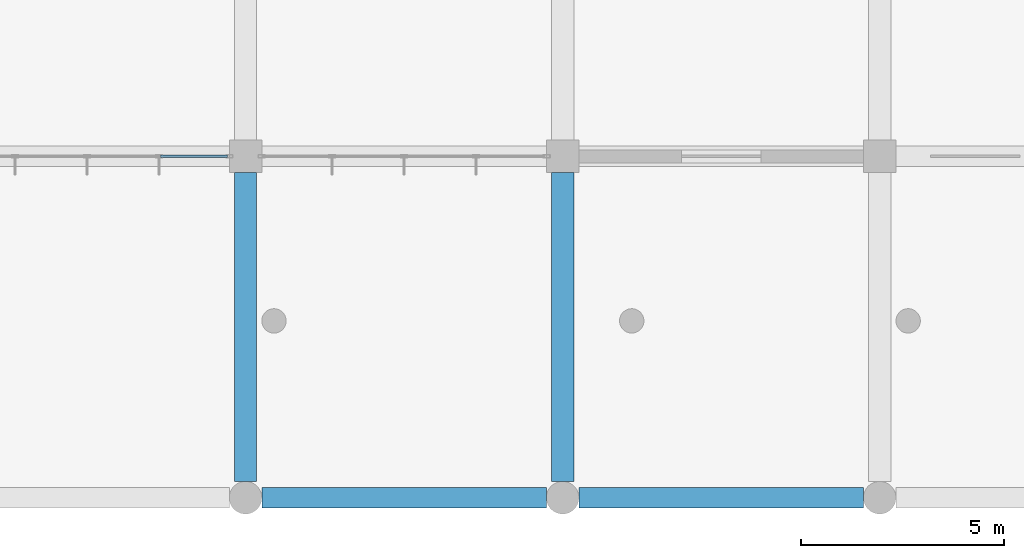
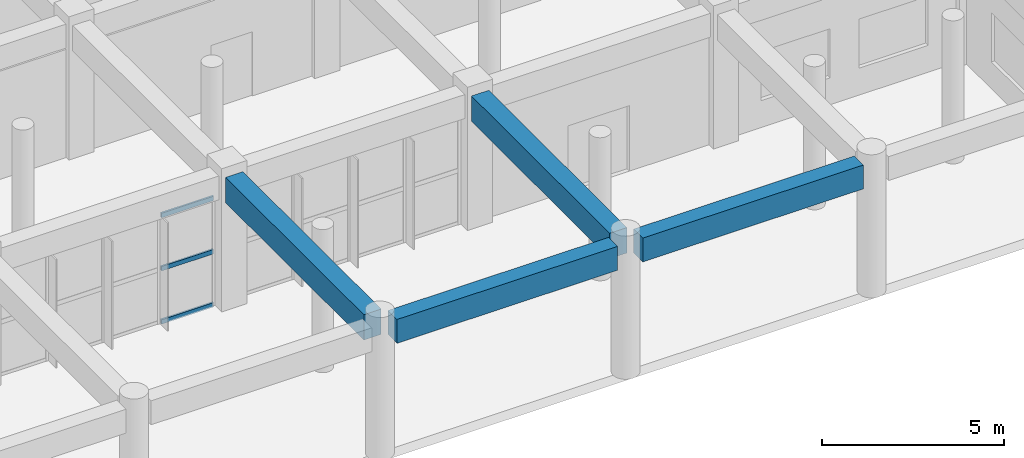
# One storey, part 20 of 139: 4 beams, 3 members, 1 element without a shape of its own.
"""IFC4 building model written with IfcOpenShell, lengths in metres."""

from ifc_helpers import new_model, si_unit, direction, frame, origin, origin_2d, place, context, subcontext, project, spatial, rectangle, hollow_rectangle, extrude, material, layer, layer_set, material_profile, profile_set, type_object, element, aggregate, save


model = new_model("IFC4")

# Units and contexts
model_context = context("Model", 3, precision=1e-05, world=origin(), true_north=direction((0.0, 1.0)))
body_context = subcontext(model_context, "Body", "Model", "MODEL_VIEW")
ifc_project = project(units=[si_unit("LENGTHUNIT", "METRE"), si_unit("AREAUNIT", "SQUARE_METRE"), si_unit("VOLUMEUNIT", "CUBIC_METRE"), si_unit("PLANEANGLEUNIT", "RADIAN"), si_unit("MASSUNIT", "GRAM", prefix="KILO")], contexts=[model_context])

# Site, building, storey
site_placement = place(None, origin())
site = spatial("IfcSite", under=ifc_project, at=site_placement, CompositionType="ELEMENT")
building_placement = place(site_placement, origin())
building = spatial("IfcBuilding", under=site, at=building_placement, Name="Zizhar Promenade General Hospital", CompositionType="ELEMENT")
storey_placement = place(building_placement, origin())
storey = spatial("IfcBuildingStorey", under=building, at=storey_placement, Name="L00", CompositionType="ELEMENT", Elevation=0.0)

# Beams
ifc_material_1 = material(Name="Concrete C35/45", Category="concrete")
ifc_material_profile_1 = material_profile(ifc_material_1, rectangle(XDim=0.5, YDim=0.800048828125, at=origin_2d()))
ifc_profile_set_1 = profile_set([ifc_material_profile_1], Name="Concrete C35/45")
beam_type_1 = type_object("IfcBeamType", Name="BM-RC-500x800", PredefinedType="BEAM", material=ifc_profile_set_1)
for number, where, z_axis, x_axis, name in (
    (1, (109.60009765625, 0.0, 4.070068359375), (1.0, 0.0, 0.0), (0.0, 1.0, 0.0), "Grid Beam X L00 (14-0)"),
    (2, (117.39990234375, 0.0, 4.070068359375), (1.0, 0.0, 0.0), (0.0, 1.0, 0.0), "Grid Beam X L00 (15-0)"),
):
    element("IfcBeam", number, at=place(storey_placement, frame(where, z_axis=z_axis, x_axis=x_axis)), inside=storey, type_object=beam_type_1, Name=name, PredefinedType="BEAM", context=body_context, shape_type="SweptSolid", body=[
        extrude(rectangle(XDim=0.5, YDim=0.800048828125, at=origin_2d()), origin(), (0.0, 0.0, 1.0), 7.0),
    ])
ifc_material_2 = material(Name="Concrete C35/45", Category="concrete")
ifc_material_profile_2 = material_profile(ifc_material_2, rectangle(XDim=0.550048828125, YDim=0.85009765625, at=origin_2d()))
ifc_profile_set_2 = profile_set([ifc_material_profile_2], Name="Concrete C35/45")
beam_type_2 = type_object("IfcBeamType", Name="BM-RC-550x850", PredefinedType="BEAM", material=ifc_profile_set_2)
for number, where, z_axis, x_axis, name in (
    (3, (109.199951171875, 0.39990234375, 4.044921875), (0.0, 1.0, 0.0), (-1.0, 0.0, 0.0), "Grid Beam Y L00 (14-0)"),
    (4, (117.0, 0.39990234375, 4.044921875), (0.0, 1.0, 0.0), (-1.0, 0.0, 0.0), "Grid Beam Y L00 (15-0)"),
):
    element("IfcBeam", number, at=place(storey_placement, frame(where, z_axis=z_axis, x_axis=x_axis)), inside=storey, type_object=beam_type_2, Name=name, PredefinedType="BEAM", context=body_context, shape_type="SweptSolid", body=[
        extrude(rectangle(XDim=0.550048828125, YDim=0.85009765625, at=origin_2d()), origin(), (0.0, 0.0, 1.0), 7.60009765625),
    ])

# Curtain wall, members
ifc_material_3 = material(Name="Anodised aluminium 6063-T6 and low-E glass", Category="aluminium")
ifc_layer = layer(ifc_material_3, 0.159912109375)
ifc_layer_set = layer_set([ifc_layer], Name="Anodised aluminium 6063-T6 and low-E glass")
curtain_wall_type = type_object("IfcCurtainWallType", Name="CW-HALL-S", PredefinedType="NOTDEFINED", material=ifc_layer_set)
curtain_wall_placement = place(storey_placement, origin())
curtain_wall = element("IfcCurtainWall", 5, at=curtain_wall_placement, inside=storey, type_object=curtain_wall_type, Name="Promenade Colonnade Curtain Wall Bay 12", PredefinedType="NOTDEFINED")
ifc_material_4 = material(Name="Anodised aluminium 6063-T6", Category="aluminium")
ifc_material_profile_3 = material_profile(ifc_material_4, hollow_rectangle(XDim=0.06005859375, YDim=0.14990234375, WallThickness=0.00390625, at=origin_2d()))
ifc_profile_set_3 = profile_set([ifc_material_profile_3], Name="Anodised aluminium 6063-T6")
member_type = type_object("IfcMemberType", Name="CWT-ALU-150x60", PredefinedType="USERDEFINED", material=ifc_profile_set_3)
member_1_placement = place(storey_placement, frame((108.760009765625, 8.39990234375, 0.030029296875), z_axis=(-1.0, 0.0, 0.0), x_axis=(0.0, -1.0, 0.0)))
member_1 = element("IfcMember", 6, at=member_1_placement, type_object=member_type, Name="CW-01 transom 1.1", ObjectType="TRANSOM", PredefinedType="USERDEFINED", context=body_context, shape_type="SweptSolid", body=[
    extrude(hollow_rectangle(XDim=0.06005859375, YDim=0.14990234375, WallThickness=0.00390625, at=origin_2d()), origin(), (0.0, 0.0, 1.0), 1.64990234375),
])
member_2_placement = place(storey_placement, frame((108.760009765625, 8.39990234375, 1.81494140625), z_axis=(-1.0, 0.0, 0.0), x_axis=(0.0, -1.0, 0.0)))
member_2 = element("IfcMember", 7, at=member_2_placement, type_object=member_type, Name="CW-01 transom 1.2", ObjectType="TRANSOM", PredefinedType="USERDEFINED", context=body_context, shape_type="SweptSolid", body=[
    extrude(hollow_rectangle(XDim=0.06005859375, YDim=0.14990234375, WallThickness=0.00390625, at=origin_2d()), origin(), (0.0, 0.0, 1.0), 1.64990234375),
])
member_3_placement = place(storey_placement, frame((108.760009765625, 8.39990234375, 3.60009765625), z_axis=(-1.0, 0.0, 0.0), x_axis=(0.0, -1.0, 0.0)))
member_3 = element("IfcMember", 8, at=member_3_placement, type_object=member_type, Name="CW-01 transom 1.3", ObjectType="TRANSOM", PredefinedType="USERDEFINED", context=body_context, shape_type="SweptSolid", body=[
    extrude(hollow_rectangle(XDim=0.06005859375, YDim=0.14990234375, WallThickness=0.00390625, at=origin_2d()), origin(), (0.0, 0.0, 1.0), 1.64990234375),
])
aggregate(curtain_wall, [member_1, member_2, member_3])

save(model, "model.ifc")
